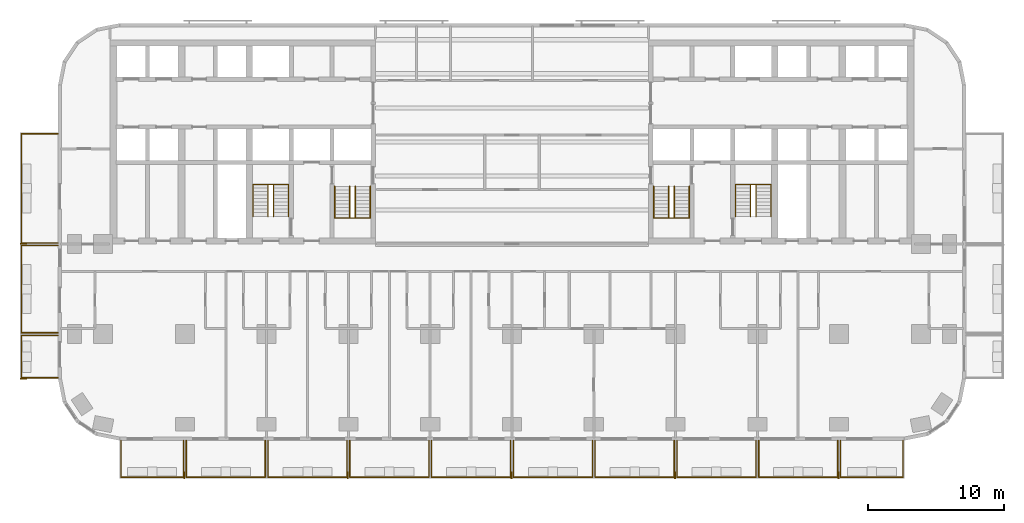
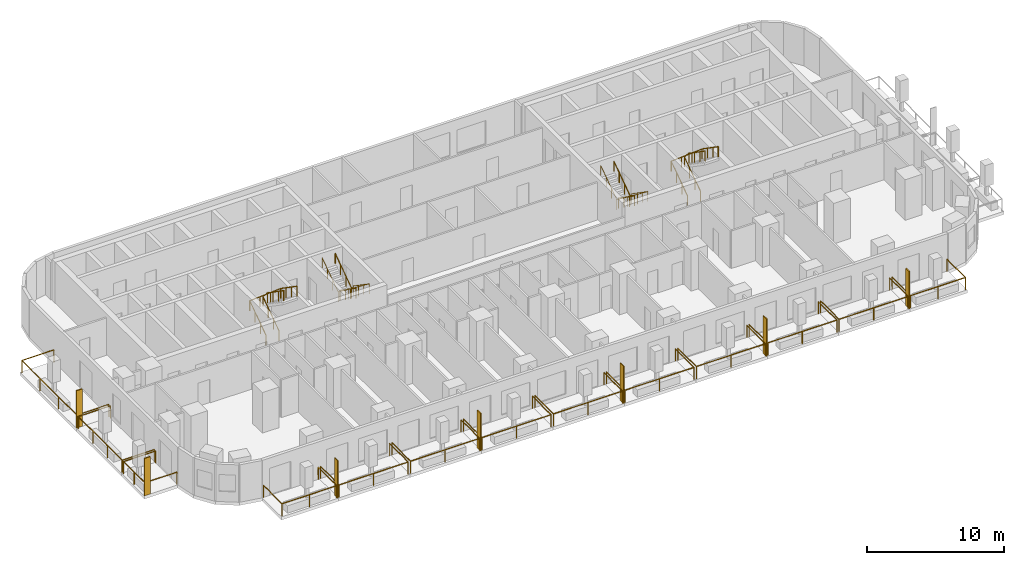
# One storey, part 11 of 13: 21 railings, 7 shading devices.
"""IFC4 building model written with IfcOpenShell, lengths in metres."""

from ifc_helpers import new_model, si_unit, direction, frame, origin, origin_2d, place, context, subcontext, project, spatial, rectangle, circle, extrude, material, layer, layer_set, type_object, element, save


model = new_model("IFC4")

# Units and contexts
model_context = context("Model", 3, precision=1e-05, world=origin(), true_north=direction((0.0, 1.0)))
body_context = subcontext(model_context, "Body", "Model", "MODEL_VIEW")
ifc_project = project(units=[si_unit("LENGTHUNIT", "METRE"), si_unit("AREAUNIT", "SQUARE_METRE"), si_unit("VOLUMEUNIT", "CUBIC_METRE"), si_unit("PLANEANGLEUNIT", "RADIAN"), si_unit("MASSUNIT", "GRAM", prefix="KILO")], contexts=[model_context])

# Site, building, storey
site_placement = place(None, origin())
site = spatial("IfcSite", under=ifc_project, at=site_placement, CompositionType="ELEMENT")
building_placement = place(site_placement, origin())
building = spatial("IfcBuilding", under=site, at=building_placement, Name="Torana Hotel and Residences", CompositionType="ELEMENT")
storey_placement = place(building_placement, frame((0.0, 0.0, 56.39990234375)))
storey = spatial("IfcBuildingStorey", under=building, at=storey_placement, Name="L13", CompositionType="ELEMENT", Elevation=56.39990234375)

# Shading devices
ifc_material_1 = material(Name="Black powder coated aluminium", Category="aluminium")
ifc_layer = layer(ifc_material_1, 0.080078125)
ifc_layer_set = layer_set([ifc_layer], Name="FN1 VERTICAL FIN 500x80")
shading_device_type = type_object("IfcShadingDeviceType", Name="FN1 VERTICAL FIN 500x80", PredefinedType="USERDEFINED", material=ifc_layer_set)
for number, where, z_axis, x_axis, name in (
    (1, (-24.0400390625, -31.949951171875, 0.0), (0.0, 0.0, 1.0), (-1.0, 0.0, 0.0), "Fin 01"),
    (2, (-12.0400390625, -31.949951171875, 0.0), (0.0, 0.0, 1.0), (-1.0, 0.0, 0.0), "Fin 03"),
    (3, (-0.0400390625, -31.949951171875, 0.0), (0.0, 0.0, 1.0), (-1.0, 0.0, 0.0), "Fin 05"),
    (4, (11.9599609375, -31.949951171875, 0.0), (0.0, 0.0, 1.0), (-1.0, 0.0, 0.0), "Fin 07"),
    (5, (23.9599609375, -31.949951171875, 0.0), (0.0, 0.0, 1.0), (-1.0, 0.0, 0.0), "Fin 09"),
    (6, (-35.85009765625, -24.860107421875, 0.0), (0.0, 0.0, 1.0), (0.0, 1.0, 0.0), "Fin 11"),
    (7, (-35.85009765625, -14.9599609375, 0.0), (0.0, 0.0, 1.0), (0.0, 1.0, 0.0), "Fin 13"),
):
    element("IfcShadingDevice", number, at=place(storey_placement, frame(where, z_axis=z_axis, x_axis=x_axis)), inside=storey, type_object=shading_device_type, Name=name, ObjectType="FIN", PredefinedType="USERDEFINED", context=body_context, shape_type="SweptSolid", body=[
        extrude(rectangle(XDim=0.080078125, YDim=0.5, at=origin_2d()), origin(), (0.0, 0.0, 1.0), 3.320068359375),
    ])

# Railings
ifc_material_2 = material(Name="Laminated glass balustrade with black handrail", Category="glass")
railing_type_1 = type_object("IfcRailingType", Name="GR1 BALCONY GUARD 1100 GLASS", PredefinedType="GUARDRAIL", material=ifc_material_2)
railing_1_placement = place(storey_placement, frame((-24.10009765625, -29.39990234375, 0.0)))
element("IfcRailing", 8, at=railing_1_placement, inside=storey, type_object=railing_type_1, Name="Balcony guard 01", PredefinedType="GUARDRAIL", context=body_context, shape_type="SweptSolid", body=[
    extrude(circle(Radius=0.02392578125, at=origin_2d()), frame((0.0, 0.0, 1.076171875), z_axis=(0.0, -1.0, 0.0), x_axis=(1.0, 0.0, 0.0)), (0.0, 0.0, 1.0), 2.7001953125),
    extrude(circle(Radius=0.02392578125, at=origin_2d()), frame((0.0, -2.7001953125, 1.076171875), z_axis=(-1.0, 0.0, 0.0), x_axis=(0.0, -1.0, 0.0)), (0.0, 0.0, 1.0), 4.599853515625),
    extrude(circle(Radius=0.02392578125, at=origin_2d()), frame((-4.599853515625, -2.7001953125, 1.076171875), z_axis=(0.0, 1.0, 0.0), x_axis=(-1.0, 0.0, 0.0)), (0.0, 0.0, 1.0), 2.7001953125),
    extrude(circle(Radius=0.02099609375, at=origin_2d()), origin(), (0.0, 0.0, 1.0), 1.052001953125),
    extrude(circle(Radius=0.02099609375, at=origin_2d()), frame((0.0, -2.7001953125, 0.0)), (0.0, 0.0, 1.0), 1.052001953125),
    extrude(circle(Radius=0.02099609375, at=origin_2d()), frame((-2.2998046875, -2.7001953125, 0.0)), (0.0, 0.0, 1.0), 1.052001953125),
    extrude(circle(Radius=0.02099609375, at=origin_2d()), frame((-4.599853515625, -2.7001953125, 0.0)), (0.0, 0.0, 1.0), 1.052001953125),
    extrude(circle(Radius=0.02099609375, at=origin_2d()), frame((-4.599853515625, 0.0, 0.0)), (0.0, 0.0, 1.0), 1.052001953125),
])
for number, where, name in (
    (9, (-18.10009765625, -29.39990234375, 0.0), "Balcony guard 02"),
    (10, (-12.10009765625, -29.39990234375, 0.0), "Balcony guard 03"),
    (11, (-6.10009765625, -29.39990234375, 0.0), "Balcony guard 04"),
    (12, (-0.10009765625, -29.39990234375, 0.0), "Balcony guard 05"),
    (13, (5.89990234375, -29.39990234375, 0.0), "Balcony guard 06"),
    (14, (11.89990234375, -29.39990234375, 0.0), "Balcony guard 07"),
    (15, (17.89990234375, -29.39990234375, 0.0), "Balcony guard 08"),
    (16, (23.89990234375, -29.39990234375, 0.0), "Balcony guard 09"),
):
    element("IfcRailing", number, at=place(storey_placement, frame(where)), inside=storey, type_object=railing_type_1, Name=name, PredefinedType="GUARDRAIL", context=body_context, shape_type="SweptSolid", body=[
        extrude(circle(Radius=0.02392578125, at=origin_2d()), frame((0.0, 0.0, 1.076171875), z_axis=(0.0, -1.0, 0.0), x_axis=(1.0, 0.0, 0.0)), (0.0, 0.0, 1.0), 2.7001953125),
        extrude(circle(Radius=0.02392578125, at=origin_2d()), frame((0.0, -2.7001953125, 1.076171875), z_axis=(-1.0, 0.0, 0.0), x_axis=(0.0, -1.0, 0.0)), (0.0, 0.0, 1.0), 5.7998046875),
        extrude(circle(Radius=0.02392578125, at=origin_2d()), frame((-5.7998046875, -2.7001953125, 1.076171875), z_axis=(0.0, 1.0, 0.0), x_axis=(-1.0, 0.0, 0.0)), (0.0, 0.0, 1.0), 2.7001953125),
        extrude(circle(Radius=0.02099609375, at=origin_2d()), origin(), (0.0, 0.0, 1.0), 1.052001953125),
        extrude(circle(Radius=0.02099609375, at=origin_2d()), frame((0.0, -2.7001953125, 0.0)), (0.0, 0.0, 1.0), 1.052001953125),
        extrude(circle(Radius=0.02099609375, at=origin_2d()), frame((-2.89990234375, -2.7001953125, 0.0)), (0.0, 0.0, 1.0), 1.052001953125),
        extrude(circle(Radius=0.02099609375, at=origin_2d()), frame((-5.7998046875, -2.7001953125, 0.0)), (0.0, 0.0, 1.0), 1.052001953125),
        extrude(circle(Radius=0.02099609375, at=origin_2d()), frame((-5.7998046875, 0.0, 0.0)), (0.0, 0.0, 1.0), 1.052001953125),
    ])
railing_2_placement = place(storey_placement, frame((28.699951171875, -29.39990234375, 0.0)))
element("IfcRailing", 17, at=railing_2_placement, inside=storey, type_object=railing_type_1, Name="Balcony guard 10", PredefinedType="GUARDRAIL", context=body_context, shape_type="SweptSolid", body=[
    extrude(circle(Radius=0.02392578125, at=origin_2d()), frame((0.0, 0.0, 1.076171875), z_axis=(0.0, -1.0, 0.0), x_axis=(1.0, 0.0, 0.0)), (0.0, 0.0, 1.0), 2.7001953125),
    extrude(circle(Radius=0.02392578125, at=origin_2d()), frame((0.0, -2.7001953125, 1.076171875), z_axis=(-1.0, 0.0, 0.0), x_axis=(0.0, -1.0, 0.0)), (0.0, 0.0, 1.0), 4.599853515625),
    extrude(circle(Radius=0.02392578125, at=origin_2d()), frame((-4.599853515625, -2.7001953125, 1.076171875), z_axis=(0.0, 1.0, 0.0), x_axis=(-1.0, 0.0, 0.0)), (0.0, 0.0, 1.0), 2.7001953125),
    extrude(circle(Radius=0.02099609375, at=origin_2d()), origin(), (0.0, 0.0, 1.0), 1.052001953125),
    extrude(circle(Radius=0.02099609375, at=origin_2d()), frame((0.0, -2.7001953125, 0.0)), (0.0, 0.0, 1.0), 1.052001953125),
    extrude(circle(Radius=0.02099609375, at=origin_2d()), frame((-2.2998046875, -2.7001953125, 0.0)), (0.0, 0.0, 1.0), 1.052001953125),
    extrude(circle(Radius=0.02099609375, at=origin_2d()), frame((-4.599853515625, -2.7001953125, 0.0)), (0.0, 0.0, 1.0), 1.052001953125),
    extrude(circle(Radius=0.02099609375, at=origin_2d()), frame((-4.599853515625, 0.0, 0.0)), (0.0, 0.0, 1.0), 1.052001953125),
])
railing_3_placement = place(storey_placement, frame((-33.300048828125, -24.800048828125, 0.0)))
element("IfcRailing", 18, at=railing_3_placement, inside=storey, type_object=railing_type_1, Name="Balcony guard 11", PredefinedType="GUARDRAIL", context=body_context, shape_type="SweptSolid", body=[
    extrude(circle(Radius=0.02392578125, at=origin_2d()), frame((0.0, 0.0, 1.076171875), z_axis=(-1.0, 0.0, 0.0), x_axis=(0.0, -1.0, 0.0)), (0.0, 0.0, 1.0), 2.699951171875),
    extrude(circle(Radius=0.02392578125, at=origin_2d()), frame((-2.699951171875, 0.0, 1.076171875), z_axis=(0.0, 1.0, 0.0), x_axis=(-1.0, 0.0, 0.0)), (0.0, 0.0, 1.0), 3.10009765625),
    extrude(circle(Radius=0.02392578125, at=origin_2d()), frame((-2.699951171875, 3.10009765625, 1.076171875), z_axis=(1.0, 0.0, 0.0), x_axis=(0.0, 1.0, 0.0)), (0.0, 0.0, 1.0), 2.699951171875),
    extrude(circle(Radius=0.02099609375, at=origin_2d()), origin(), (0.0, 0.0, 1.0), 1.052001953125),
    extrude(circle(Radius=0.02099609375, at=origin_2d()), frame((-2.699951171875, 0.0, 0.0)), (0.0, 0.0, 1.0), 1.052001953125),
    extrude(circle(Radius=0.02099609375, at=origin_2d()), frame((-2.699951171875, 1.550048828125, 0.0)), (0.0, 0.0, 1.0), 1.052001953125),
    extrude(circle(Radius=0.02099609375, at=origin_2d()), frame((-2.699951171875, 3.10009765625, 0.0)), (0.0, 0.0, 1.0), 1.052001953125),
    extrude(circle(Radius=0.02099609375, at=origin_2d()), frame((0.0, 3.10009765625, 0.0)), (0.0, 0.0, 1.0), 1.052001953125),
])
railing_4_placement = place(storey_placement, frame((-33.300048828125, -21.5, 0.0)))
element("IfcRailing", 19, at=railing_4_placement, inside=storey, type_object=railing_type_1, Name="Balcony guard 12", PredefinedType="GUARDRAIL", context=body_context, shape_type="SweptSolid", body=[
    extrude(circle(Radius=0.02392578125, at=origin_2d()), frame((0.0, 0.0, 1.076171875), z_axis=(-1.0, 0.0, 0.0), x_axis=(0.0, -1.0, 0.0)), (0.0, 0.0, 1.0), 2.699951171875),
    extrude(circle(Radius=0.02392578125, at=origin_2d()), frame((-2.699951171875, 0.0, 1.076171875), z_axis=(0.0, 1.0, 0.0), x_axis=(-1.0, 0.0, 0.0)), (0.0, 0.0, 1.0), 6.39990234375),
    extrude(circle(Radius=0.02392578125, at=origin_2d()), frame((-2.699951171875, 6.39990234375, 1.076171875), z_axis=(1.0, 0.0, 0.0), x_axis=(0.0, 1.0, 0.0)), (0.0, 0.0, 1.0), 2.699951171875),
    extrude(circle(Radius=0.02099609375, at=origin_2d()), origin(), (0.0, 0.0, 1.0), 1.052001953125),
    extrude(circle(Radius=0.02099609375, at=origin_2d()), frame((-2.699951171875, 0.0, 0.0)), (0.0, 0.0, 1.0), 1.052001953125),
    extrude(circle(Radius=0.02099609375, at=origin_2d()), frame((-2.699951171875, 2.13330078125, 0.0)), (0.0, 0.0, 1.0), 1.052001953125),
    extrude(circle(Radius=0.02099609375, at=origin_2d()), frame((-2.699951171875, 4.2666015625, 0.0)), (0.0, 0.0, 1.0), 1.052001953125),
    extrude(circle(Radius=0.02099609375, at=origin_2d()), frame((-2.699951171875, 6.39990234375, 0.0)), (0.0, 0.0, 1.0), 1.052001953125),
    extrude(circle(Radius=0.02099609375, at=origin_2d()), frame((0.0, 6.39990234375, 0.0)), (0.0, 0.0, 1.0), 1.052001953125),
])
railing_5_placement = place(storey_placement, frame((-33.300048828125, -14.89990234375, 0.0)))
element("IfcRailing", 20, at=railing_5_placement, inside=storey, type_object=railing_type_1, Name="Balcony guard 13", PredefinedType="GUARDRAIL", context=body_context, shape_type="SweptSolid", body=[
    extrude(circle(Radius=0.02392578125, at=origin_2d()), frame((0.0, 0.0, 1.076171875), z_axis=(-1.0, 0.0, 0.0), x_axis=(0.0, -1.0, 0.0)), (0.0, 0.0, 1.0), 2.699951171875),
    extrude(circle(Radius=0.02392578125, at=origin_2d()), frame((-2.699951171875, 0.0, 1.076171875), z_axis=(0.0, 1.0, 0.0), x_axis=(-1.0, 0.0, 0.0)), (0.0, 0.0, 1.0), 8.0),
    extrude(circle(Radius=0.02392578125, at=origin_2d()), frame((-2.699951171875, 8.0, 1.076171875), z_axis=(1.0, 0.0, 0.0), x_axis=(0.0, 1.0, 0.0)), (0.0, 0.0, 1.0), 2.699951171875),
    extrude(circle(Radius=0.02099609375, at=origin_2d()), origin(), (0.0, 0.0, 1.0), 1.052001953125),
    extrude(circle(Radius=0.02099609375, at=origin_2d()), frame((-2.699951171875, 0.0, 0.0)), (0.0, 0.0, 1.0), 1.052001953125),
    extrude(circle(Radius=0.02099609375, at=origin_2d()), frame((-2.699951171875, 2.666748046875, 0.0)), (0.0, 0.0, 1.0), 1.052001953125),
    extrude(circle(Radius=0.02099609375, at=origin_2d()), frame((-2.699951171875, 5.333251953125, 0.0)), (0.0, 0.0, 1.0), 1.052001953125),
    extrude(circle(Radius=0.02099609375, at=origin_2d()), frame((-2.699951171875, 8.0, 0.0)), (0.0, 0.0, 1.0), 1.052001953125),
    extrude(circle(Radius=0.02099609375, at=origin_2d()), frame((0.0, 8.0, 0.0)), (0.0, 0.0, 1.0), 1.052001953125),
])
ifc_material_3 = material(Name="Stainless steel 316", Category="steel")
railing_type_2 = type_object("IfcRailingType", Name="STAIR HANDRAIL HR1 900", PredefinedType="HANDRAIL", material=ifc_material_3)
railing_6_placement = place(storey_placement, frame((-10.39990234375, -10.75, 0.18017578125)))
element("IfcRailing", 21, at=railing_6_placement, inside=storey, type_object=railing_type_2, Name="Handrail ST1 L13 O1", PredefinedType="HANDRAIL", context=body_context, shape_type="SweptSolid", body=[
    extrude(circle(Radius=0.02392578125, at=origin_2d()), frame((0.0, 0.0, 0.8759765625), z_axis=(0.0, -0.822223072051, 0.569165371211), x_axis=(1.0, 0.0, 0.0)), (0.0, 0.0, 1.0), 2.845947265625),
    extrude(circle(Radius=0.02392578125, at=origin_2d()), frame((0.0, -2.340087890625, 2.49560546875), z_axis=(-0.997614115953, 0.0, 0.069036770278), x_axis=(0.0, -1.0, 0.0)), (0.0, 0.0, 1.0), 2.606201171875),
    extrude(circle(Radius=0.02392578125, at=origin_2d()), frame((-2.60009765625, -2.340087890625, 2.67578125), z_axis=(0.0, 0.822182927502, 0.569223360136), x_axis=(-1.0, 0.0, 0.0)), (0.0, 0.0, 1.0), 2.84619140625),
    extrude(circle(Radius=0.02099609375, at=origin_2d()), origin(), (0.0, 0.0, 1.0), 0.851806640625),
    extrude(circle(Radius=0.02099609375, at=origin_2d()), frame((0.0, -0.780029296875, 0.5400390625)), (0.0, 0.0, 1.0), 0.851806640625),
    extrude(circle(Radius=0.02099609375, at=origin_2d()), frame((0.0, -1.56005859375, 1.079833984375)), (0.0, 0.0, 1.0), 0.851806640625),
    extrude(circle(Radius=0.02099609375, at=origin_2d()), frame((0.0, -2.340087890625, 1.619873046875)), (0.0, 0.0, 1.0), 0.851806640625),
    extrude(circle(Radius=0.02099609375, at=origin_2d()), frame((-0.86669921875, -2.340087890625, 1.679931640625)), (0.0, 0.0, 1.0), 0.851806640625),
    extrude(circle(Radius=0.02099609375, at=origin_2d()), frame((-1.7333984375, -2.340087890625, 1.73974609375)), (0.0, 0.0, 1.0), 0.851806640625),
    extrude(circle(Radius=0.02099609375, at=origin_2d()), frame((-2.60009765625, -2.340087890625, 1.7998046875)), (0.0, 0.0, 1.0), 0.851806640625),
    extrude(circle(Radius=0.02099609375, at=origin_2d()), frame((-2.60009765625, -1.56005859375, 2.33984375)), (0.0, 0.0, 1.0), 0.851806640625),
    extrude(circle(Radius=0.02099609375, at=origin_2d()), frame((-2.60009765625, -0.780029296875, 2.8798828125)), (0.0, 0.0, 1.0), 0.851806640625),
    extrude(circle(Radius=0.02099609375, at=origin_2d()), frame((-2.60009765625, 0.0, 3.419921875)), (0.0, 0.0, 1.0), 0.851806640625),
])
railing_7_placement = place(storey_placement, frame((-11.5, -10.75, 0.18017578125)))
element("IfcRailing", 22, at=railing_7_placement, inside=storey, type_object=railing_type_2, Name="Handrail ST1 L13 I1", PredefinedType="HANDRAIL", context=body_context, shape_type="SweptSolid", body=[
    extrude(circle(Radius=0.02392578125, at=origin_2d()), frame((0.0, 0.0, 0.8759765625), z_axis=(0.0, -0.822223072051, 0.569165371211), x_axis=(1.0, 0.0, 0.0)), (0.0, 0.0, 1.0), 2.845947265625),
    extrude(circle(Radius=0.02392578125, at=origin_2d()), frame((0.0, -2.340087890625, 2.49560546875), z_axis=(-0.911942338396, 0.0, 0.410318378143), x_axis=(0.0, -1.0, 0.0)), (0.0, 0.0, 1.0), 0.4384765625),
    extrude(circle(Radius=0.02392578125, at=origin_2d()), frame((-0.39990234375, -2.340087890625, 2.67578125), z_axis=(0.0, 0.822182927502, 0.569223360136), x_axis=(-1.0, 0.0, 0.0)), (0.0, 0.0, 1.0), 2.84619140625),
    extrude(circle(Radius=0.02099609375, at=origin_2d()), origin(), (0.0, 0.0, 1.0), 0.851806640625),
    extrude(circle(Radius=0.02099609375, at=origin_2d()), frame((0.0, -0.780029296875, 0.5400390625)), (0.0, 0.0, 1.0), 0.851806640625),
    extrude(circle(Radius=0.02099609375, at=origin_2d()), frame((0.0, -1.56005859375, 1.079833984375)), (0.0, 0.0, 1.0), 0.851806640625),
    extrude(circle(Radius=0.02099609375, at=origin_2d()), frame((0.0, -2.340087890625, 1.619873046875)), (0.0, 0.0, 1.0), 0.851806640625),
    extrude(circle(Radius=0.02099609375, at=origin_2d()), frame((-0.39990234375, -2.340087890625, 1.7998046875)), (0.0, 0.0, 1.0), 0.851806640625),
    extrude(circle(Radius=0.02099609375, at=origin_2d()), frame((-0.39990234375, -1.56005859375, 2.33984375)), (0.0, 0.0, 1.0), 0.851806640625),
    extrude(circle(Radius=0.02099609375, at=origin_2d()), frame((-0.39990234375, -0.780029296875, 2.8798828125)), (0.0, 0.0, 1.0), 0.851806640625),
    extrude(circle(Radius=0.02099609375, at=origin_2d()), frame((-0.39990234375, 0.0, 3.419921875)), (0.0, 0.0, 1.0), 0.851806640625),
])
railing_8_placement = place(storey_placement, frame((-19.0, -12.949951171875, 0.18017578125)))
element("IfcRailing", 23, at=railing_8_placement, inside=storey, type_object=railing_type_2, Name="Handrail ST2 L13 O1", PredefinedType="HANDRAIL", context=body_context, shape_type="SweptSolid", body=[
    extrude(circle(Radius=0.02392578125, at=origin_2d()), frame((0.0, 0.0, 0.8759765625), z_axis=(0.0, 0.822195280011, 0.569205517829), x_axis=(-1.0, 0.0, 0.0)), (0.0, 0.0, 1.0), 2.845947265625),
    extrude(circle(Radius=0.02392578125, at=origin_2d()), frame((0.0, 2.33984375, 2.49560546875), z_axis=(0.997614115953, 0.0, 0.069036770278), x_axis=(0.0, 1.0, 0.0)), (0.0, 0.0, 1.0), 2.606201171875),
    extrude(circle(Radius=0.02392578125, at=origin_2d()), frame((2.60009765625, 2.33984375, 2.67578125), z_axis=(0.0, -0.822155131156, 0.569263506923), x_axis=(1.0, 0.0, 0.0)), (0.0, 0.0, 1.0), 2.845947265625),
    extrude(circle(Radius=0.02099609375, at=origin_2d()), origin(), (0.0, 0.0, 1.0), 0.851806640625),
    extrude(circle(Radius=0.02099609375, at=origin_2d()), frame((0.0, 0.780029296875, 0.5400390625)), (0.0, 0.0, 1.0), 0.851806640625),
    extrude(circle(Radius=0.02099609375, at=origin_2d()), frame((0.0, 1.559814453125, 1.079833984375)), (0.0, 0.0, 1.0), 0.851806640625),
    extrude(circle(Radius=0.02099609375, at=origin_2d()), frame((0.0, 2.33984375, 1.619873046875)), (0.0, 0.0, 1.0), 0.851806640625),
    extrude(circle(Radius=0.02099609375, at=origin_2d()), frame((0.86669921875, 2.33984375, 1.679931640625)), (0.0, 0.0, 1.0), 0.851806640625),
    extrude(circle(Radius=0.02099609375, at=origin_2d()), frame((1.7333984375, 2.33984375, 1.73974609375)), (0.0, 0.0, 1.0), 0.851806640625),
    extrude(circle(Radius=0.02099609375, at=origin_2d()), frame((2.60009765625, 2.33984375, 1.7998046875)), (0.0, 0.0, 1.0), 0.851806640625),
    extrude(circle(Radius=0.02099609375, at=origin_2d()), frame((2.60009765625, 1.559814453125, 2.33984375)), (0.0, 0.0, 1.0), 0.851806640625),
    extrude(circle(Radius=0.02099609375, at=origin_2d()), frame((2.60009765625, 0.780029296875, 2.8798828125)), (0.0, 0.0, 1.0), 0.851806640625),
    extrude(circle(Radius=0.02099609375, at=origin_2d()), frame((2.60009765625, 0.0, 3.419921875)), (0.0, 0.0, 1.0), 0.851806640625),
])
railing_9_placement = place(storey_placement, frame((-17.89990234375, -12.949951171875, 0.18017578125)))
element("IfcRailing", 24, at=railing_9_placement, inside=storey, type_object=railing_type_2, Name="Handrail ST2 L13 I1", PredefinedType="HANDRAIL", context=body_context, shape_type="SweptSolid", body=[
    extrude(circle(Radius=0.02392578125, at=origin_2d()), frame((0.0, 0.0, 0.8759765625), z_axis=(0.0, 0.822195280011, 0.569205517829), x_axis=(-1.0, 0.0, 0.0)), (0.0, 0.0, 1.0), 2.845947265625),
    extrude(circle(Radius=0.02392578125, at=origin_2d()), frame((0.0, 2.33984375, 2.49560546875), z_axis=(0.911942338396, 0.0, 0.410318378143), x_axis=(0.0, 1.0, 0.0)), (0.0, 0.0, 1.0), 0.4384765625),
    extrude(circle(Radius=0.02392578125, at=origin_2d()), frame((0.39990234375, 2.33984375, 2.67578125), z_axis=(0.0, -0.822155131156, 0.569263506923), x_axis=(1.0, 0.0, 0.0)), (0.0, 0.0, 1.0), 2.845947265625),
    extrude(circle(Radius=0.02099609375, at=origin_2d()), origin(), (0.0, 0.0, 1.0), 0.851806640625),
    extrude(circle(Radius=0.02099609375, at=origin_2d()), frame((0.0, 0.780029296875, 0.5400390625)), (0.0, 0.0, 1.0), 0.851806640625),
    extrude(circle(Radius=0.02099609375, at=origin_2d()), frame((0.0, 1.559814453125, 1.079833984375)), (0.0, 0.0, 1.0), 0.851806640625),
    extrude(circle(Radius=0.02099609375, at=origin_2d()), frame((0.0, 2.33984375, 1.619873046875)), (0.0, 0.0, 1.0), 0.851806640625),
    extrude(circle(Radius=0.02099609375, at=origin_2d()), frame((0.39990234375, 2.33984375, 1.7998046875)), (0.0, 0.0, 1.0), 0.851806640625),
    extrude(circle(Radius=0.02099609375, at=origin_2d()), frame((0.39990234375, 1.559814453125, 2.33984375)), (0.0, 0.0, 1.0), 0.851806640625),
    extrude(circle(Radius=0.02099609375, at=origin_2d()), frame((0.39990234375, 0.780029296875, 2.8798828125)), (0.0, 0.0, 1.0), 0.851806640625),
    extrude(circle(Radius=0.02099609375, at=origin_2d()), frame((0.39990234375, 0.0, 3.419921875)), (0.0, 0.0, 1.0), 0.851806640625),
])
railing_10_placement = place(storey_placement, frame((13.0, -10.75, 0.18017578125)))
element("IfcRailing", 25, at=railing_10_placement, inside=storey, type_object=railing_type_2, Name="Handrail ST3 L13 O1", PredefinedType="HANDRAIL", context=body_context, shape_type="SweptSolid", body=[
    extrude(circle(Radius=0.02392578125, at=origin_2d()), frame((0.0, 0.0, 0.8759765625), z_axis=(0.0, -0.822223072051, 0.569165371211), x_axis=(1.0, 0.0, 0.0)), (0.0, 0.0, 1.0), 2.845947265625),
    extrude(circle(Radius=0.02392578125, at=origin_2d()), frame((0.0, -2.340087890625, 2.49560546875), z_axis=(-0.997614115953, 0.0, 0.069036770278), x_axis=(0.0, -1.0, 0.0)), (0.0, 0.0, 1.0), 2.606201171875),
    extrude(circle(Radius=0.02392578125, at=origin_2d()), frame((-2.60009765625, -2.340087890625, 2.67578125), z_axis=(0.0, 0.822182927502, 0.569223360136), x_axis=(-1.0, 0.0, 0.0)), (0.0, 0.0, 1.0), 2.84619140625),
    extrude(circle(Radius=0.02099609375, at=origin_2d()), origin(), (0.0, 0.0, 1.0), 0.851806640625),
    extrude(circle(Radius=0.02099609375, at=origin_2d()), frame((0.0, -0.780029296875, 0.5400390625)), (0.0, 0.0, 1.0), 0.851806640625),
    extrude(circle(Radius=0.02099609375, at=origin_2d()), frame((0.0, -1.56005859375, 1.079833984375)), (0.0, 0.0, 1.0), 0.851806640625),
    extrude(circle(Radius=0.02099609375, at=origin_2d()), frame((0.0, -2.340087890625, 1.619873046875)), (0.0, 0.0, 1.0), 0.851806640625),
    extrude(circle(Radius=0.02099609375, at=origin_2d()), frame((-0.86669921875, -2.340087890625, 1.679931640625)), (0.0, 0.0, 1.0), 0.851806640625),
    extrude(circle(Radius=0.02099609375, at=origin_2d()), frame((-1.7333984375, -2.340087890625, 1.73974609375)), (0.0, 0.0, 1.0), 0.851806640625),
    extrude(circle(Radius=0.02099609375, at=origin_2d()), frame((-2.60009765625, -2.340087890625, 1.7998046875)), (0.0, 0.0, 1.0), 0.851806640625),
    extrude(circle(Radius=0.02099609375, at=origin_2d()), frame((-2.60009765625, -1.56005859375, 2.33984375)), (0.0, 0.0, 1.0), 0.851806640625),
    extrude(circle(Radius=0.02099609375, at=origin_2d()), frame((-2.60009765625, -0.780029296875, 2.8798828125)), (0.0, 0.0, 1.0), 0.851806640625),
    extrude(circle(Radius=0.02099609375, at=origin_2d()), frame((-2.60009765625, 0.0, 3.419921875)), (0.0, 0.0, 1.0), 0.851806640625),
])
railing_11_placement = place(storey_placement, frame((11.89990234375, -10.75, 0.18017578125)))
element("IfcRailing", 26, at=railing_11_placement, inside=storey, type_object=railing_type_2, Name="Handrail ST3 L13 I1", PredefinedType="HANDRAIL", context=body_context, shape_type="SweptSolid", body=[
    extrude(circle(Radius=0.02392578125, at=origin_2d()), frame((0.0, 0.0, 0.8759765625), z_axis=(0.0, -0.822223072051, 0.569165371211), x_axis=(1.0, 0.0, 0.0)), (0.0, 0.0, 1.0), 2.845947265625),
    extrude(circle(Radius=0.02392578125, at=origin_2d()), frame((0.0, -2.340087890625, 2.49560546875), z_axis=(-0.911942338396, 0.0, 0.410318378143), x_axis=(0.0, -1.0, 0.0)), (0.0, 0.0, 1.0), 0.4384765625),
    extrude(circle(Radius=0.02392578125, at=origin_2d()), frame((-0.39990234375, -2.340087890625, 2.67578125), z_axis=(0.0, 0.822182927502, 0.569223360136), x_axis=(-1.0, 0.0, 0.0)), (0.0, 0.0, 1.0), 2.84619140625),
    extrude(circle(Radius=0.02099609375, at=origin_2d()), origin(), (0.0, 0.0, 1.0), 0.851806640625),
    extrude(circle(Radius=0.02099609375, at=origin_2d()), frame((0.0, -0.780029296875, 0.5400390625)), (0.0, 0.0, 1.0), 0.851806640625),
    extrude(circle(Radius=0.02099609375, at=origin_2d()), frame((0.0, -1.56005859375, 1.079833984375)), (0.0, 0.0, 1.0), 0.851806640625),
    extrude(circle(Radius=0.02099609375, at=origin_2d()), frame((0.0, -2.340087890625, 1.619873046875)), (0.0, 0.0, 1.0), 0.851806640625),
    extrude(circle(Radius=0.02099609375, at=origin_2d()), frame((-0.39990234375, -2.340087890625, 1.7998046875)), (0.0, 0.0, 1.0), 0.851806640625),
    extrude(circle(Radius=0.02099609375, at=origin_2d()), frame((-0.39990234375, -1.56005859375, 2.33984375)), (0.0, 0.0, 1.0), 0.851806640625),
    extrude(circle(Radius=0.02099609375, at=origin_2d()), frame((-0.39990234375, -0.780029296875, 2.8798828125)), (0.0, 0.0, 1.0), 0.851806640625),
    extrude(circle(Radius=0.02099609375, at=origin_2d()), frame((-0.39990234375, 0.0, 3.419921875)), (0.0, 0.0, 1.0), 0.851806640625),
])
railing_12_placement = place(storey_placement, frame((16.39990234375, -12.949951171875, 0.18017578125)))
element("IfcRailing", 27, at=railing_12_placement, inside=storey, type_object=railing_type_2, Name="Handrail ST4 L13 O1", PredefinedType="HANDRAIL", context=body_context, shape_type="SweptSolid", body=[
    extrude(circle(Radius=0.02392578125, at=origin_2d()), frame((0.0, 0.0, 0.8759765625), z_axis=(0.0, 0.822195280011, 0.569205517829), x_axis=(-1.0, 0.0, 0.0)), (0.0, 0.0, 1.0), 2.845947265625),
    extrude(circle(Radius=0.02392578125, at=origin_2d()), frame((0.0, 2.33984375, 2.49560546875), z_axis=(0.997614115953, 0.0, 0.069036770278), x_axis=(0.0, 1.0, 0.0)), (0.0, 0.0, 1.0), 2.606201171875),
    extrude(circle(Radius=0.02392578125, at=origin_2d()), frame((2.60009765625, 2.33984375, 2.67578125), z_axis=(0.0, -0.822155131156, 0.569263506923), x_axis=(1.0, 0.0, 0.0)), (0.0, 0.0, 1.0), 2.845947265625),
    extrude(circle(Radius=0.02099609375, at=origin_2d()), origin(), (0.0, 0.0, 1.0), 0.851806640625),
    extrude(circle(Radius=0.02099609375, at=origin_2d()), frame((0.0, 0.780029296875, 0.5400390625)), (0.0, 0.0, 1.0), 0.851806640625),
    extrude(circle(Radius=0.02099609375, at=origin_2d()), frame((0.0, 1.559814453125, 1.079833984375)), (0.0, 0.0, 1.0), 0.851806640625),
    extrude(circle(Radius=0.02099609375, at=origin_2d()), frame((0.0, 2.33984375, 1.619873046875)), (0.0, 0.0, 1.0), 0.851806640625),
    extrude(circle(Radius=0.02099609375, at=origin_2d()), frame((0.86669921875, 2.33984375, 1.679931640625)), (0.0, 0.0, 1.0), 0.851806640625),
    extrude(circle(Radius=0.02099609375, at=origin_2d()), frame((1.7333984375, 2.33984375, 1.73974609375)), (0.0, 0.0, 1.0), 0.851806640625),
    extrude(circle(Radius=0.02099609375, at=origin_2d()), frame((2.60009765625, 2.33984375, 1.7998046875)), (0.0, 0.0, 1.0), 0.851806640625),
    extrude(circle(Radius=0.02099609375, at=origin_2d()), frame((2.60009765625, 1.559814453125, 2.33984375)), (0.0, 0.0, 1.0), 0.851806640625),
    extrude(circle(Radius=0.02099609375, at=origin_2d()), frame((2.60009765625, 0.780029296875, 2.8798828125)), (0.0, 0.0, 1.0), 0.851806640625),
    extrude(circle(Radius=0.02099609375, at=origin_2d()), frame((2.60009765625, 0.0, 3.419921875)), (0.0, 0.0, 1.0), 0.851806640625),
])
railing_13_placement = place(storey_placement, frame((17.5, -12.949951171875, 0.18017578125)))
element("IfcRailing", 28, at=railing_13_placement, inside=storey, type_object=railing_type_2, Name="Handrail ST4 L13 I1", PredefinedType="HANDRAIL", context=body_context, shape_type="SweptSolid", body=[
    extrude(circle(Radius=0.02392578125, at=origin_2d()), frame((0.0, 0.0, 0.8759765625), z_axis=(0.0, 0.822195280011, 0.569205517829), x_axis=(-1.0, 0.0, 0.0)), (0.0, 0.0, 1.0), 2.845947265625),
    extrude(circle(Radius=0.02392578125, at=origin_2d()), frame((0.0, 2.33984375, 2.49560546875), z_axis=(0.911942338396, 0.0, 0.410318378143), x_axis=(0.0, 1.0, 0.0)), (0.0, 0.0, 1.0), 0.4384765625),
    extrude(circle(Radius=0.02392578125, at=origin_2d()), frame((0.39990234375, 2.33984375, 2.67578125), z_axis=(0.0, -0.822155131156, 0.569263506923), x_axis=(1.0, 0.0, 0.0)), (0.0, 0.0, 1.0), 2.845947265625),
    extrude(circle(Radius=0.02099609375, at=origin_2d()), origin(), (0.0, 0.0, 1.0), 0.851806640625),
    extrude(circle(Radius=0.02099609375, at=origin_2d()), frame((0.0, 0.780029296875, 0.5400390625)), (0.0, 0.0, 1.0), 0.851806640625),
    extrude(circle(Radius=0.02099609375, at=origin_2d()), frame((0.0, 1.559814453125, 1.079833984375)), (0.0, 0.0, 1.0), 0.851806640625),
    extrude(circle(Radius=0.02099609375, at=origin_2d()), frame((0.0, 2.33984375, 1.619873046875)), (0.0, 0.0, 1.0), 0.851806640625),
    extrude(circle(Radius=0.02099609375, at=origin_2d()), frame((0.39990234375, 2.33984375, 1.7998046875)), (0.0, 0.0, 1.0), 0.851806640625),
    extrude(circle(Radius=0.02099609375, at=origin_2d()), frame((0.39990234375, 1.559814453125, 2.33984375)), (0.0, 0.0, 1.0), 0.851806640625),
    extrude(circle(Radius=0.02099609375, at=origin_2d()), frame((0.39990234375, 0.780029296875, 2.8798828125)), (0.0, 0.0, 1.0), 0.851806640625),
    extrude(circle(Radius=0.02099609375, at=origin_2d()), frame((0.39990234375, 0.0, 3.419921875)), (0.0, 0.0, 1.0), 0.851806640625),
])

save(model, "model.ifc")
